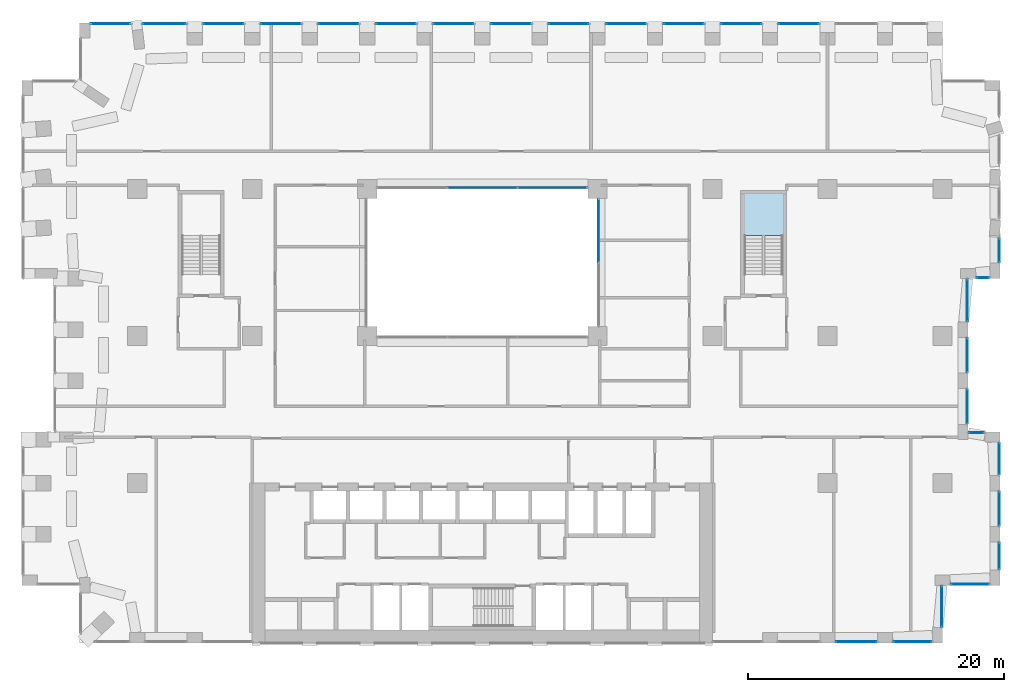
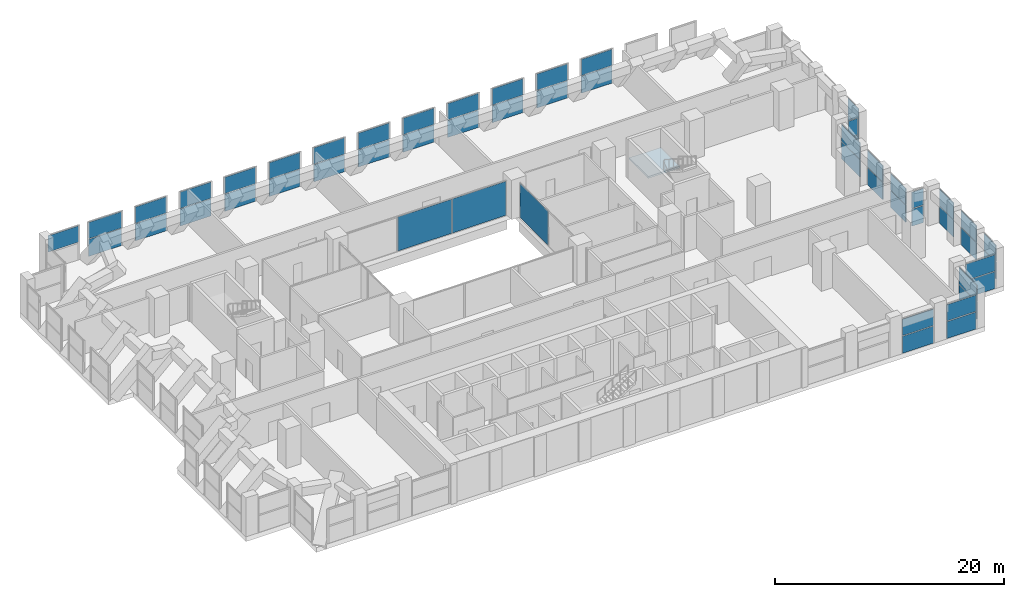
# One storey, part 13 of 20: 54 plates, 1 slab, 29 elements without a shape of their own.
"""IFC4 building model written with IfcOpenShell, lengths in metres."""

from ifc_helpers import new_model, si_unit, direction, frame, origin, origin_2d, place, context, subcontext, project, spatial, polyline, rectangle, outline, extrude, material, layer, layer_set, type_object, element, aggregate, save


model = new_model("IFC4")

# Units and contexts
model_context = context("Model", 3, precision=1e-05, world=origin(), true_north=direction((0.0, 1.0)))
body_context = subcontext(model_context, "Body", "Model", "MODEL_VIEW")
ifc_project = project(units=[si_unit("LENGTHUNIT", "METRE"), si_unit("AREAUNIT", "SQUARE_METRE"), si_unit("VOLUMEUNIT", "CUBIC_METRE"), si_unit("PLANEANGLEUNIT", "RADIAN"), si_unit("MASSUNIT", "GRAM", prefix="KILO")], contexts=[model_context])

# Site, building, storey
site_placement = place(None, origin())
site = spatial("IfcSite", under=ifc_project, at=site_placement, CompositionType="ELEMENT")
building_placement = place(site_placement, origin())
building = spatial("IfcBuilding", under=site, at=building_placement, Name="Brigalow Station Residences", CompositionType="ELEMENT")
storey_placement = place(building_placement, frame((0.0, 0.0, 73.050048828125)))
storey = spatial("IfcBuildingStorey", under=building, at=storey_placement, Name="L21", CompositionType="ELEMENT", Elevation=73.050048828125)

# Curtain wall, plate
ifc_material_1 = material(Name="Aluminium", Category="aluminium")
ifc_layer_1 = layer(ifc_material_1, 0.14990234375)
ifc_layer_set_1 = layer_set([ifc_layer_1], Name="ATRIUM FIRE-RATED GLAZING CURTAIN WALL")
curtain_wall_type_1 = type_object("IfcCurtainWallType", Name="ATRIUM FIRE-RATED GLAZING CURTAIN WALL", PredefinedType="NOTDEFINED", material=ifc_layer_set_1)
curtain_wall_1_placement = place(storey_placement, origin())
curtain_wall_1 = element("IfcCurtainWall", 1, at=curtain_wall_1_placement, inside=storey, type_object=curtain_wall_type_1, Name="L21/cw/atrium-E", PredefinedType="NOTDEFINED")
ifc_material_2 = material(Name="Fire-resisting laminated glazing, FRL -/60/-", Category="glass")
ifc_layer_2 = layer(ifc_material_2, 0.031982421875)
ifc_layer_set_2 = layer_set([ifc_layer_2], Name="ATRIUM FIRE-RATED GLAZING PANEL 32")
plate_type_1 = type_object("IfcPlateType", Name="ATRIUM FIRE-RATED GLAZING PANEL 32", PredefinedType="CURTAIN_PANEL", material=ifc_layer_set_2)
plate_1_placement = place(storey_placement, frame((45.10009765625, 32.235107421875, 0.0), z_axis=(0.0, 0.0, 1.0), x_axis=(0.0, 1.0, 0.0)))
plate_1 = element("IfcPlate", 2, at=plate_1_placement, type_object=plate_type_1, Name="L21/cw/atrium-E/P01-00", PredefinedType="CURTAIN_PANEL", context=body_context, shape_type="SweptSolid", body=[
    extrude(rectangle(XDim=4.909912109375, YDim=0.031982421875, at=origin_2d()), origin(), (0.0, 0.0, 1.0), 3.639892578125),
])
aggregate(curtain_wall_1, [plate_1])

# Curtain wall, plates
curtain_wall_2_placement = place(storey_placement, origin())
curtain_wall_2 = element("IfcCurtainWall", 3, at=curtain_wall_2_placement, inside=storey, type_object=curtain_wall_type_1, Name="L21/cw/atrium-N", PredefinedType="NOTDEFINED")
plate_2_placement = place(storey_placement, frame((41.485107421875, 35.60009765625, 0.0), z_axis=(0.0, 0.0, 1.0), x_axis=(-1.0, 0.0, 0.0)))
plate_2 = element("IfcPlate", 4, at=plate_2_placement, type_object=plate_type_1, Name="L21/cw/atrium-N/P00-00", PredefinedType="CURTAIN_PANEL", context=body_context, shape_type="SweptSolid", body=[
    extrude(rectangle(XDim=5.409912109375, YDim=0.031982421875, at=origin_2d()), origin(), (0.0, 0.0, 1.0), 3.639892578125),
])
plate_3_placement = place(storey_placement, frame((36.0, 35.60009765625, 0.0), z_axis=(0.0, 0.0, 1.0), x_axis=(-1.0, 0.0, 0.0)))
plate_3 = element("IfcPlate", 5, at=plate_3_placement, type_object=plate_type_1, Name="L21/cw/atrium-N/P01-00", PredefinedType="CURTAIN_PANEL", context=body_context, shape_type="SweptSolid", body=[
    extrude(rectangle(XDim=5.43994140625, YDim=0.031982421875, at=origin_2d()), origin(), (0.0, 0.0, 1.0), 3.639892578125),
])
aggregate(curtain_wall_2, [plate_2, plate_3])

ifc_material_3 = material(Name="Aluminium", Category="aluminium")
ifc_layer_3 = layer(ifc_material_3, 0.199951171875)
ifc_layer_set_3 = layer_set([ifc_layer_3], Name="REFUGE FLOOR LOUVRE CURTAIN WALL")
curtain_wall_type_2 = type_object("IfcCurtainWallType", Name="REFUGE FLOOR LOUVRE CURTAIN WALL", PredefinedType="NOTDEFINED", material=ifc_layer_set_3)
curtain_wall_3_placement = place(storey_placement, origin())
curtain_wall_3 = element("IfcCurtainWall", 6, at=curtain_wall_3_placement, inside=storey, type_object=curtain_wall_type_2, Name="L21/cw/louvre-W-L21-5-6", PredefinedType="NOTDEFINED")
ifc_material_4 = material(Name="Aluminium louvre blade", Category="aluminium")
ifc_layer_4 = layer(ifc_material_4, 0.070068359375)
ifc_layer_set_4 = layer_set([ifc_layer_4], Name="REFUGE FLOOR LOUVRE PANEL 70")
plate_type_2 = type_object("IfcPlateType", Name="REFUGE FLOOR LOUVRE PANEL 70", PredefinedType="CURTAIN_PANEL", material=ifc_layer_set_4)
plate_4_placement = place(storey_placement, frame((65.25, 0.074951171875, 0.0), z_axis=(0.0, 0.0, 1.0), x_axis=(1.0, 0.0, 0.0)))
plate_4 = element("IfcPlate", 7, at=plate_4_placement, type_object=plate_type_2, Name="L21/cw/louvre-W-L21-5-6/P00-00", PredefinedType="CURTAIN_PANEL", context=body_context, shape_type="SweptSolid", body=[
    extrude(rectangle(XDim=3.139892578125, YDim=0.070068359375, at=origin_2d()), origin(), (0.0, 0.0, 1.0), 1.81005859375),
])
plate_5_placement = place(storey_placement, frame((65.25, 0.074951171875, 1.889892578125), z_axis=(0.0, 0.0, 1.0), x_axis=(1.0, 0.0, 0.0)))
plate_5 = element("IfcPlate", 8, at=plate_5_placement, type_object=plate_type_2, Name="L21/cw/louvre-W-L21-5-6/P00-01", PredefinedType="CURTAIN_PANEL", context=body_context, shape_type="SweptSolid", body=[
    extrude(rectangle(XDim=3.139892578125, YDim=0.070068359375, at=origin_2d()), origin(), (0.0, 0.0, 1.0), 1.72998046875),
])
aggregate(curtain_wall_3, [plate_4, plate_5])

curtain_wall_4_placement = place(storey_placement, origin())
curtain_wall_4 = element("IfcCurtainWall", 9, at=curtain_wall_4_placement, inside=storey, type_object=curtain_wall_type_2, Name="L21/cw/louvre-W-L21-5-7", PredefinedType="NOTDEFINED")
plate_6_placement = place(storey_placement, frame((69.64990234375, 0.074951171875, 0.0), z_axis=(0.0, 0.0, 1.0), x_axis=(1.0, 0.0, 0.0)))
plate_6 = element("IfcPlate", 10, at=plate_6_placement, type_object=plate_type_2, Name="L21/cw/louvre-W-L21-5-7/P00-00", PredefinedType="CURTAIN_PANEL", context=body_context, shape_type="SweptSolid", body=[
    extrude(rectangle(XDim=2.93994140625, YDim=0.070068359375, at=origin_2d()), origin(), (0.0, 0.0, 1.0), 1.81005859375),
])
plate_7_placement = place(storey_placement, frame((69.64990234375, 0.074951171875, 1.889892578125), z_axis=(0.0, 0.0, 1.0), x_axis=(1.0, 0.0, 0.0)))
plate_7 = element("IfcPlate", 11, at=plate_7_placement, type_object=plate_type_2, Name="L21/cw/louvre-W-L21-5-7/P00-01", PredefinedType="CURTAIN_PANEL", context=body_context, shape_type="SweptSolid", body=[
    extrude(rectangle(XDim=2.93994140625, YDim=0.070068359375, at=origin_2d()), origin(), (0.0, 0.0, 1.0), 1.72998046875),
])
aggregate(curtain_wall_4, [plate_6, plate_7])

curtain_wall_5_placement = place(storey_placement, origin())
curtain_wall_5 = element("IfcCurtainWall", 12, at=curtain_wall_5_placement, inside=storey, type_object=curtain_wall_type_2, Name="L21/cw/louvre-W-L21-9-8", PredefinedType="NOTDEFINED")
plate_8_placement = place(storey_placement, frame((71.925048828125, 2.85009765625, 0.0), z_axis=(0.0, 0.0, 1.0), x_axis=(0.0, 1.0, 0.0)))
plate_8 = element("IfcPlate", 13, at=plate_8_placement, type_object=plate_type_2, Name="L21/cw/louvre-W-L21-9-8/P00-00", PredefinedType="CURTAIN_PANEL", context=body_context, shape_type="SweptSolid", body=[
    extrude(rectangle(XDim=3.139892578125, YDim=0.070068359375, at=origin_2d()), origin(), (0.0, 0.0, 1.0), 1.81005859375),
])
plate_9_placement = place(storey_placement, frame((71.925048828125, 2.85009765625, 1.889892578125), z_axis=(0.0, 0.0, 1.0), x_axis=(0.0, 1.0, 0.0)))
plate_9 = element("IfcPlate", 14, at=plate_9_placement, type_object=plate_type_2, Name="L21/cw/louvre-W-L21-9-8/P00-01", PredefinedType="CURTAIN_PANEL", context=body_context, shape_type="SweptSolid", body=[
    extrude(rectangle(XDim=3.139892578125, YDim=0.070068359375, at=origin_2d()), origin(), (0.0, 0.0, 1.0), 1.72998046875),
])
aggregate(curtain_wall_5, [plate_8, plate_9])

curtain_wall_6_placement = place(storey_placement, origin())
curtain_wall_6 = element("IfcCurtainWall", 15, at=curtain_wall_6_placement, inside=storey, type_object=curtain_wall_type_2, Name="L21/cw/louvre-W-L21-10-9", PredefinedType="NOTDEFINED")
plate_10_placement = place(storey_placement, frame((74.14990234375, 4.574951171875, 0.0), z_axis=(0.0, 0.0, 1.0), x_axis=(1.0, 0.0, 0.0)))
plate_10 = element("IfcPlate", 16, at=plate_10_placement, type_object=plate_type_2, Name="L21/cw/louvre-W-L21-10-9/P00-00", PredefinedType="CURTAIN_PANEL", context=body_context, shape_type="SweptSolid", body=[
    extrude(rectangle(XDim=2.93994140625, YDim=0.070068359375, at=origin_2d()), origin(), (0.0, 0.0, 1.0), 1.81005859375),
])
plate_11_placement = place(storey_placement, frame((74.14990234375, 4.574951171875, 1.889892578125), z_axis=(0.0, 0.0, 1.0), x_axis=(1.0, 0.0, 0.0)))
plate_11 = element("IfcPlate", 17, at=plate_11_placement, type_object=plate_type_2, Name="L21/cw/louvre-W-L21-10-9/P00-01", PredefinedType="CURTAIN_PANEL", context=body_context, shape_type="SweptSolid", body=[
    extrude(rectangle(XDim=2.93994140625, YDim=0.070068359375, at=origin_2d()), origin(), (0.0, 0.0, 1.0), 1.72998046875),
])
aggregate(curtain_wall_6, [plate_10, plate_11])

curtain_wall_7_placement = place(storey_placement, origin())
curtain_wall_7 = element("IfcCurtainWall", 18, at=curtain_wall_7_placement, inside=storey, type_object=curtain_wall_type_2, Name="L21/cw/louvre-W-L21-11-10", PredefinedType="NOTDEFINED")
plate_12_placement = place(storey_placement, frame((76.425048828125, 6.800048828125, 0.0), z_axis=(0.0, 0.0, 1.0), x_axis=(0.0, 1.0, 0.0)))
plate_12 = element("IfcPlate", 19, at=plate_12_placement, type_object=plate_type_2, Name="L21/cw/louvre-W-L21-11-10/P00-00", PredefinedType="CURTAIN_PANEL", context=body_context, shape_type="SweptSolid", body=[
    extrude(rectangle(XDim=2.0400390625, YDim=0.070068359375, at=origin_2d()), origin(), (0.0, 0.0, 1.0), 1.81005859375),
])
plate_13_placement = place(storey_placement, frame((76.425048828125, 6.800048828125, 1.889892578125), z_axis=(0.0, 0.0, 1.0), x_axis=(0.0, 1.0, 0.0)))
plate_13 = element("IfcPlate", 20, at=plate_13_placement, type_object=plate_type_2, Name="L21/cw/louvre-W-L21-11-10/P00-01", PredefinedType="CURTAIN_PANEL", context=body_context, shape_type="SweptSolid", body=[
    extrude(rectangle(XDim=2.0400390625, YDim=0.070068359375, at=origin_2d()), origin(), (0.0, 0.0, 1.0), 1.72998046875),
])
aggregate(curtain_wall_7, [plate_12, plate_13])

curtain_wall_8_placement = place(storey_placement, origin())
curtain_wall_8 = element("IfcCurtainWall", 21, at=curtain_wall_8_placement, inside=storey, type_object=curtain_wall_type_2, Name="L21/cw/louvre-W-L21-11-11", PredefinedType="NOTDEFINED")
plate_14_placement = place(storey_placement, frame((76.425048828125, 10.5, 0.0), z_axis=(0.0, 0.0, 1.0), x_axis=(0.0, 1.0, 0.0)))
plate_14 = element("IfcPlate", 22, at=plate_14_placement, type_object=plate_type_2, Name="L21/cw/louvre-W-L21-11-11/P00-00", PredefinedType="CURTAIN_PANEL", context=body_context, shape_type="SweptSolid", body=[
    extrude(rectangle(XDim=2.639892578125, YDim=0.070068359375, at=origin_2d()), origin(), (0.0, 0.0, 1.0), 1.81005859375),
])
plate_15_placement = place(storey_placement, frame((76.425048828125, 10.5, 1.889892578125), z_axis=(0.0, 0.0, 1.0), x_axis=(0.0, 1.0, 0.0)))
plate_15 = element("IfcPlate", 23, at=plate_15_placement, type_object=plate_type_2, Name="L21/cw/louvre-W-L21-11-11/P00-01", PredefinedType="CURTAIN_PANEL", context=body_context, shape_type="SweptSolid", body=[
    extrude(rectangle(XDim=2.639892578125, YDim=0.070068359375, at=origin_2d()), origin(), (0.0, 0.0, 1.0), 1.72998046875),
])
aggregate(curtain_wall_8, [plate_14, plate_15])

curtain_wall_9_placement = place(storey_placement, origin())
curtain_wall_9 = element("IfcCurtainWall", 24, at=curtain_wall_9_placement, inside=storey, type_object=curtain_wall_type_2, Name="L21/cw/louvre-W-L21-11-12", PredefinedType="NOTDEFINED")
plate_16_placement = place(storey_placement, frame((76.425048828125, 14.39990234375, 0.0), z_axis=(0.0, 0.0, 1.0), x_axis=(0.0, 1.0, 0.0)))
plate_16 = element("IfcPlate", 25, at=plate_16_placement, type_object=plate_type_2, Name="L21/cw/louvre-W-L21-11-12/P00-00", PredefinedType="CURTAIN_PANEL", context=body_context, shape_type="SweptSolid", body=[
    extrude(rectangle(XDim=2.43994140625, YDim=0.070068359375, at=origin_2d()), origin(), (0.0, 0.0, 1.0), 1.81005859375),
])
plate_17_placement = place(storey_placement, frame((76.425048828125, 14.39990234375, 1.889892578125), z_axis=(0.0, 0.0, 1.0), x_axis=(0.0, 1.0, 0.0)))
plate_17 = element("IfcPlate", 26, at=plate_17_placement, type_object=plate_type_2, Name="L21/cw/louvre-W-L21-11-12/P00-01", PredefinedType="CURTAIN_PANEL", context=body_context, shape_type="SweptSolid", body=[
    extrude(rectangle(XDim=2.43994140625, YDim=0.070068359375, at=origin_2d()), origin(), (0.0, 0.0, 1.0), 1.72998046875),
])
aggregate(curtain_wall_9, [plate_16, plate_17])

curtain_wall_10_placement = place(storey_placement, origin())
curtain_wall_10 = element("IfcCurtainWall", 27, at=curtain_wall_10_placement, inside=storey, type_object=curtain_wall_type_2, Name="L21/cw/louvre-W-L21-14-13", PredefinedType="NOTDEFINED")
plate_18_placement = place(storey_placement, frame((74.64990234375, 16.425048828125, 0.0), z_axis=(0.0, 0.0, 1.0), x_axis=(-1.0, 0.0, 0.0)))
plate_18 = element("IfcPlate", 28, at=plate_18_placement, type_object=plate_type_2, Name="L21/cw/louvre-W-L21-14-13/P00-00", PredefinedType="CURTAIN_PANEL", context=body_context, shape_type="SweptSolid", body=[
    extrude(rectangle(XDim=1.139892578125, YDim=0.070068359375, at=origin_2d()), origin(), (0.0, 0.0, 1.0), 1.81005859375),
])
plate_19_placement = place(storey_placement, frame((74.64990234375, 16.425048828125, 1.889892578125), z_axis=(0.0, 0.0, 1.0), x_axis=(-1.0, 0.0, 0.0)))
plate_19 = element("IfcPlate", 29, at=plate_19_placement, type_object=plate_type_2, Name="L21/cw/louvre-W-L21-14-13/P00-01", PredefinedType="CURTAIN_PANEL", context=body_context, shape_type="SweptSolid", body=[
    extrude(rectangle(XDim=1.139892578125, YDim=0.070068359375, at=origin_2d()), origin(), (0.0, 0.0, 1.0), 1.72998046875),
])
aggregate(curtain_wall_10, [plate_18, plate_19])

curtain_wall_11_placement = place(storey_placement, origin())
curtain_wall_11 = element("IfcCurtainWall", 30, at=curtain_wall_11_placement, inside=storey, type_object=curtain_wall_type_2, Name="L21/cw/louvre-W-L21-15-14", PredefinedType="NOTDEFINED")
plate_20_placement = place(storey_placement, frame((73.925048828125, 18.5, 0.0), z_axis=(0.0, 0.0, 1.0), x_axis=(0.0, 1.0, 0.0)))
plate_20 = element("IfcPlate", 31, at=plate_20_placement, type_object=plate_type_2, Name="L21/cw/louvre-W-L21-15-14/P00-00", PredefinedType="CURTAIN_PANEL", context=body_context, shape_type="SweptSolid", body=[
    extrude(rectangle(XDim=2.639892578125, YDim=0.070068359375, at=origin_2d()), origin(), (0.0, 0.0, 1.0), 1.81005859375),
])
plate_21_placement = place(storey_placement, frame((73.925048828125, 18.5, 1.889892578125), z_axis=(0.0, 0.0, 1.0), x_axis=(0.0, 1.0, 0.0)))
plate_21 = element("IfcPlate", 32, at=plate_21_placement, type_object=plate_type_2, Name="L21/cw/louvre-W-L21-15-14/P00-01", PredefinedType="CURTAIN_PANEL", context=body_context, shape_type="SweptSolid", body=[
    extrude(rectangle(XDim=2.639892578125, YDim=0.070068359375, at=origin_2d()), origin(), (0.0, 0.0, 1.0), 1.72998046875),
])
aggregate(curtain_wall_11, [plate_20, plate_21])

curtain_wall_12_placement = place(storey_placement, origin())
curtain_wall_12 = element("IfcCurtainWall", 33, at=curtain_wall_12_placement, inside=storey, type_object=curtain_wall_type_2, Name="L21/cw/louvre-W-L21-15-15", PredefinedType="NOTDEFINED")
plate_22_placement = place(storey_placement, frame((73.925048828125, 22.5, 0.0), z_axis=(0.0, 0.0, 1.0), x_axis=(0.0, 1.0, 0.0)))
plate_22 = element("IfcPlate", 34, at=plate_22_placement, type_object=plate_type_2, Name="L21/cw/louvre-W-L21-15-15/P00-00", PredefinedType="CURTAIN_PANEL", context=body_context, shape_type="SweptSolid", body=[
    extrude(rectangle(XDim=2.639892578125, YDim=0.070068359375, at=origin_2d()), origin(), (0.0, 0.0, 1.0), 1.81005859375),
])
plate_23_placement = place(storey_placement, frame((73.925048828125, 22.5, 1.889892578125), z_axis=(0.0, 0.0, 1.0), x_axis=(0.0, 1.0, 0.0)))
plate_23 = element("IfcPlate", 35, at=plate_23_placement, type_object=plate_type_2, Name="L21/cw/louvre-W-L21-15-15/P00-01", PredefinedType="CURTAIN_PANEL", context=body_context, shape_type="SweptSolid", body=[
    extrude(rectangle(XDim=2.639892578125, YDim=0.070068359375, at=origin_2d()), origin(), (0.0, 0.0, 1.0), 1.72998046875),
])
aggregate(curtain_wall_12, [plate_22, plate_23])

curtain_wall_13_placement = place(storey_placement, origin())
curtain_wall_13 = element("IfcCurtainWall", 36, at=curtain_wall_13_placement, inside=storey, type_object=curtain_wall_type_2, Name="L21/cw/louvre-W-L21-15-16", PredefinedType="NOTDEFINED")
plate_24_placement = place(storey_placement, frame((73.925048828125, 26.800048828125, 0.0), z_axis=(0.0, 0.0, 1.0), x_axis=(0.0, 1.0, 0.0)))
plate_24 = element("IfcPlate", 37, at=plate_24_placement, type_object=plate_type_2, Name="L21/cw/louvre-W-L21-15-16/P00-00", PredefinedType="CURTAIN_PANEL", context=body_context, shape_type="SweptSolid", body=[
    extrude(rectangle(XDim=3.239990234375, YDim=0.070068359375, at=origin_2d()), origin(), (0.0, 0.0, 1.0), 1.81005859375),
])
plate_25_placement = place(storey_placement, frame((73.925048828125, 26.800048828125, 1.889892578125), z_axis=(0.0, 0.0, 1.0), x_axis=(0.0, 1.0, 0.0)))
plate_25 = element("IfcPlate", 38, at=plate_25_placement, type_object=plate_type_2, Name="L21/cw/louvre-W-L21-15-16/P00-01", PredefinedType="CURTAIN_PANEL", context=body_context, shape_type="SweptSolid", body=[
    extrude(rectangle(XDim=3.239990234375, YDim=0.070068359375, at=origin_2d()), origin(), (0.0, 0.0, 1.0), 1.72998046875),
])
aggregate(curtain_wall_13, [plate_24, plate_25])

curtain_wall_14_placement = place(storey_placement, origin())
curtain_wall_14 = element("IfcCurtainWall", 39, at=curtain_wall_14_placement, inside=storey, type_object=curtain_wall_type_2, Name="L21/cw/louvre-W-L21-18-17", PredefinedType="NOTDEFINED")
plate_26_placement = place(storey_placement, frame((75.14990234375, 28.574951171875, 0.0), z_axis=(0.0, 0.0, 1.0), x_axis=(1.0, 0.0, 0.0)))
plate_26 = element("IfcPlate", 40, at=plate_26_placement, type_object=plate_type_2, Name="L21/cw/louvre-W-L21-18-17/P00-00", PredefinedType="CURTAIN_PANEL", context=body_context, shape_type="SweptSolid", body=[
    extrude(rectangle(XDim=0.93994140625, YDim=0.070068359375, at=origin_2d()), origin(), (0.0, 0.0, 1.0), 1.81005859375),
])
plate_27_placement = place(storey_placement, frame((75.14990234375, 28.574951171875, 1.889892578125), z_axis=(0.0, 0.0, 1.0), x_axis=(1.0, 0.0, 0.0)))
plate_27 = element("IfcPlate", 41, at=plate_27_placement, type_object=plate_type_2, Name="L21/cw/louvre-W-L21-18-17/P00-01", PredefinedType="CURTAIN_PANEL", context=body_context, shape_type="SweptSolid", body=[
    extrude(rectangle(XDim=0.93994140625, YDim=0.070068359375, at=origin_2d()), origin(), (0.0, 0.0, 1.0), 1.72998046875),
])
aggregate(curtain_wall_14, [plate_26, plate_27])

curtain_wall_15_placement = place(storey_placement, origin())
curtain_wall_15 = element("IfcCurtainWall", 42, at=curtain_wall_15_placement, inside=storey, type_object=curtain_wall_type_2, Name="L21/cw/louvre-W-L21-19-18", PredefinedType="NOTDEFINED")
plate_28_placement = place(storey_placement, frame((76.425048828125, 30.697265625, 0.0), z_axis=(0.0, 0.0, 1.0), x_axis=(0.0, 1.0, 0.0)))
plate_28 = element("IfcPlate", 43, at=plate_28_placement, type_object=plate_type_2, Name="L21/cw/louvre-W-L21-19-18/P00-00", PredefinedType="CURTAIN_PANEL", context=body_context, shape_type="SweptSolid", body=[
    extrude(rectangle(XDim=1.83447265625, YDim=0.070068359375, at=origin_2d()), origin(), (0.0, 0.0, 1.0), 1.81005859375),
])
plate_29_placement = place(storey_placement, frame((76.425048828125, 30.697265625, 1.889892578125), z_axis=(0.0, 0.0, 1.0), x_axis=(0.0, 1.0, 0.0)))
plate_29 = element("IfcPlate", 44, at=plate_29_placement, type_object=plate_type_2, Name="L21/cw/louvre-W-L21-19-18/P00-01", PredefinedType="CURTAIN_PANEL", context=body_context, shape_type="SweptSolid", body=[
    extrude(rectangle(XDim=1.83447265625, YDim=0.070068359375, at=origin_2d()), origin(), (0.0, 0.0, 1.0), 1.72998046875),
])
aggregate(curtain_wall_15, [plate_28, plate_29])

curtain_wall_16_placement = place(storey_placement, origin())
curtain_wall_16 = element("IfcCurtainWall", 45, at=curtain_wall_16_placement, inside=storey, type_object=curtain_wall_type_2, Name="L21/cw/louvre-W-L21-25-25", PredefinedType="NOTDEFINED")
plate_30_placement = place(storey_placement, frame((60.75, 48.425048828125, 0.0), z_axis=(0.0, 0.0, 1.0), x_axis=(-1.0, 0.0, 0.0)))
plate_30 = element("IfcPlate", 46, at=plate_30_placement, type_object=plate_type_2, Name="L21/cw/louvre-W-L21-25-25/P00-00", PredefinedType="CURTAIN_PANEL", context=body_context, shape_type="SweptSolid", body=[
    extrude(rectangle(XDim=3.10009765625, YDim=0.070068359375, at=origin_2d()), origin(), (0.0, 0.0, 1.0), 1.81005859375),
])
plate_31_placement = place(storey_placement, frame((60.75, 48.425048828125, 1.889892578125), z_axis=(0.0, 0.0, 1.0), x_axis=(-1.0, 0.0, 0.0)))
plate_31 = element("IfcPlate", 47, at=plate_31_placement, type_object=plate_type_2, Name="L21/cw/louvre-W-L21-25-25/P00-01", PredefinedType="CURTAIN_PANEL", context=body_context, shape_type="SweptSolid", body=[
    extrude(rectangle(XDim=3.10009765625, YDim=0.070068359375, at=origin_2d()), origin(), (0.0, 0.0, 1.0), 1.72998046875),
])
aggregate(curtain_wall_16, [plate_30, plate_31])

curtain_wall_17_placement = place(storey_placement, origin())
curtain_wall_17 = element("IfcCurtainWall", 48, at=curtain_wall_17_placement, inside=storey, type_object=curtain_wall_type_2, Name="L21/cw/louvre-W-L21-25-26", PredefinedType="NOTDEFINED")
plate_32_placement = place(storey_placement, frame((56.25, 48.425048828125, 0.0), z_axis=(0.0, 0.0, 1.0), x_axis=(-1.0, 0.0, 0.0)))
plate_32 = element("IfcPlate", 49, at=plate_32_placement, type_object=plate_type_2, Name="L21/cw/louvre-W-L21-25-26/P00-00", PredefinedType="CURTAIN_PANEL", context=body_context, shape_type="SweptSolid", body=[
    extrude(rectangle(XDim=3.10009765625, YDim=0.070068359375, at=origin_2d()), origin(), (0.0, 0.0, 1.0), 1.81005859375),
])
plate_33_placement = place(storey_placement, frame((56.25, 48.425048828125, 1.889892578125), z_axis=(0.0, 0.0, 1.0), x_axis=(-1.0, 0.0, 0.0)))
plate_33 = element("IfcPlate", 50, at=plate_33_placement, type_object=plate_type_2, Name="L21/cw/louvre-W-L21-25-26/P00-01", PredefinedType="CURTAIN_PANEL", context=body_context, shape_type="SweptSolid", body=[
    extrude(rectangle(XDim=3.10009765625, YDim=0.070068359375, at=origin_2d()), origin(), (0.0, 0.0, 1.0), 1.72998046875),
])
aggregate(curtain_wall_17, [plate_32, plate_33])

curtain_wall_18_placement = place(storey_placement, origin())
curtain_wall_18 = element("IfcCurtainWall", 51, at=curtain_wall_18_placement, inside=storey, type_object=curtain_wall_type_2, Name="L21/cw/louvre-W-L21-25-27", PredefinedType="NOTDEFINED")
plate_34_placement = place(storey_placement, frame((51.75, 48.425048828125, 0.0), z_axis=(0.0, 0.0, 1.0), x_axis=(-1.0, 0.0, 0.0)))
plate_34 = element("IfcPlate", 52, at=plate_34_placement, type_object=plate_type_2, Name="L21/cw/louvre-W-L21-25-27/P00-00", PredefinedType="CURTAIN_PANEL", context=body_context, shape_type="SweptSolid", body=[
    extrude(rectangle(XDim=3.10009765625, YDim=0.070068359375, at=origin_2d()), origin(), (0.0, 0.0, 1.0), 1.81005859375),
])
plate_35_placement = place(storey_placement, frame((51.75, 48.425048828125, 1.889892578125), z_axis=(0.0, 0.0, 1.0), x_axis=(-1.0, 0.0, 0.0)))
plate_35 = element("IfcPlate", 53, at=plate_35_placement, type_object=plate_type_2, Name="L21/cw/louvre-W-L21-25-27/P00-01", PredefinedType="CURTAIN_PANEL", context=body_context, shape_type="SweptSolid", body=[
    extrude(rectangle(XDim=3.10009765625, YDim=0.070068359375, at=origin_2d()), origin(), (0.0, 0.0, 1.0), 1.72998046875),
])
aggregate(curtain_wall_18, [plate_34, plate_35])

curtain_wall_19_placement = place(storey_placement, origin())
curtain_wall_19 = element("IfcCurtainWall", 54, at=curtain_wall_19_placement, inside=storey, type_object=curtain_wall_type_2, Name="L21/cw/louvre-W-L21-25-28", PredefinedType="NOTDEFINED")
plate_36_placement = place(storey_placement, frame((47.25, 48.425048828125, 0.0), z_axis=(0.0, 0.0, 1.0), x_axis=(-1.0, 0.0, 0.0)))
plate_36 = element("IfcPlate", 55, at=plate_36_placement, type_object=plate_type_2, Name="L21/cw/louvre-W-L21-25-28/P00-00", PredefinedType="CURTAIN_PANEL", context=body_context, shape_type="SweptSolid", body=[
    extrude(rectangle(XDim=3.10009765625, YDim=0.070068359375, at=origin_2d()), origin(), (0.0, 0.0, 1.0), 1.81005859375),
])
plate_37_placement = place(storey_placement, frame((47.25, 48.425048828125, 1.889892578125), z_axis=(0.0, 0.0, 1.0), x_axis=(-1.0, 0.0, 0.0)))
plate_37 = element("IfcPlate", 56, at=plate_37_placement, type_object=plate_type_2, Name="L21/cw/louvre-W-L21-25-28/P00-01", PredefinedType="CURTAIN_PANEL", context=body_context, shape_type="SweptSolid", body=[
    extrude(rectangle(XDim=3.10009765625, YDim=0.070068359375, at=origin_2d()), origin(), (0.0, 0.0, 1.0), 1.72998046875),
])
aggregate(curtain_wall_19, [plate_36, plate_37])

curtain_wall_20_placement = place(storey_placement, origin())
curtain_wall_20 = element("IfcCurtainWall", 57, at=curtain_wall_20_placement, inside=storey, type_object=curtain_wall_type_2, Name="L21/cw/louvre-W-L21-25-29", PredefinedType="NOTDEFINED")
plate_38_placement = place(storey_placement, frame((42.75, 48.425048828125, 0.0), z_axis=(0.0, 0.0, 1.0), x_axis=(-1.0, 0.0, 0.0)))
plate_38 = element("IfcPlate", 58, at=plate_38_placement, type_object=plate_type_2, Name="L21/cw/louvre-W-L21-25-29/P00-00", PredefinedType="CURTAIN_PANEL", context=body_context, shape_type="SweptSolid", body=[
    extrude(rectangle(XDim=3.10009765625, YDim=0.070068359375, at=origin_2d()), origin(), (0.0, 0.0, 1.0), 1.81005859375),
])
plate_39_placement = place(storey_placement, frame((42.75, 48.425048828125, 1.889892578125), z_axis=(0.0, 0.0, 1.0), x_axis=(-1.0, 0.0, 0.0)))
plate_39 = element("IfcPlate", 59, at=plate_39_placement, type_object=plate_type_2, Name="L21/cw/louvre-W-L21-25-29/P00-01", PredefinedType="CURTAIN_PANEL", context=body_context, shape_type="SweptSolid", body=[
    extrude(rectangle(XDim=3.10009765625, YDim=0.070068359375, at=origin_2d()), origin(), (0.0, 0.0, 1.0), 1.72998046875),
])
aggregate(curtain_wall_20, [plate_38, plate_39])

curtain_wall_21_placement = place(storey_placement, origin())
curtain_wall_21 = element("IfcCurtainWall", 60, at=curtain_wall_21_placement, inside=storey, type_object=curtain_wall_type_2, Name="L21/cw/louvre-W-L21-25-30", PredefinedType="NOTDEFINED")
plate_40_placement = place(storey_placement, frame((38.25, 48.425048828125, 0.0), z_axis=(0.0, 0.0, 1.0), x_axis=(-1.0, 0.0, 0.0)))
plate_40 = element("IfcPlate", 61, at=plate_40_placement, type_object=plate_type_2, Name="L21/cw/louvre-W-L21-25-30/P00-00", PredefinedType="CURTAIN_PANEL", context=body_context, shape_type="SweptSolid", body=[
    extrude(rectangle(XDim=3.10009765625, YDim=0.070068359375, at=origin_2d()), origin(), (0.0, 0.0, 1.0), 1.81005859375),
])
plate_41_placement = place(storey_placement, frame((38.25, 48.425048828125, 1.889892578125), z_axis=(0.0, 0.0, 1.0), x_axis=(-1.0, 0.0, 0.0)))
plate_41 = element("IfcPlate", 62, at=plate_41_placement, type_object=plate_type_2, Name="L21/cw/louvre-W-L21-25-30/P00-01", PredefinedType="CURTAIN_PANEL", context=body_context, shape_type="SweptSolid", body=[
    extrude(rectangle(XDim=3.10009765625, YDim=0.070068359375, at=origin_2d()), origin(), (0.0, 0.0, 1.0), 1.72998046875),
])
aggregate(curtain_wall_21, [plate_40, plate_41])

curtain_wall_22_placement = place(storey_placement, origin())
curtain_wall_22 = element("IfcCurtainWall", 63, at=curtain_wall_22_placement, inside=storey, type_object=curtain_wall_type_2, Name="L21/cw/louvre-W-L21-25-31", PredefinedType="NOTDEFINED")
plate_42_placement = place(storey_placement, frame((33.75, 48.425048828125, 0.0), z_axis=(0.0, 0.0, 1.0), x_axis=(-1.0, 0.0, 0.0)))
plate_42 = element("IfcPlate", 64, at=plate_42_placement, type_object=plate_type_2, Name="L21/cw/louvre-W-L21-25-31/P00-00", PredefinedType="CURTAIN_PANEL", context=body_context, shape_type="SweptSolid", body=[
    extrude(rectangle(XDim=3.10009765625, YDim=0.070068359375, at=origin_2d()), origin(), (0.0, 0.0, 1.0), 1.81005859375),
])
plate_43_placement = place(storey_placement, frame((33.75, 48.425048828125, 1.889892578125), z_axis=(0.0, 0.0, 1.0), x_axis=(-1.0, 0.0, 0.0)))
plate_43 = element("IfcPlate", 65, at=plate_43_placement, type_object=plate_type_2, Name="L21/cw/louvre-W-L21-25-31/P00-01", PredefinedType="CURTAIN_PANEL", context=body_context, shape_type="SweptSolid", body=[
    extrude(rectangle(XDim=3.10009765625, YDim=0.070068359375, at=origin_2d()), origin(), (0.0, 0.0, 1.0), 1.72998046875),
])
aggregate(curtain_wall_22, [plate_42, plate_43])

curtain_wall_23_placement = place(storey_placement, origin())
curtain_wall_23 = element("IfcCurtainWall", 66, at=curtain_wall_23_placement, inside=storey, type_object=curtain_wall_type_2, Name="L21/cw/louvre-W-L21-25-32", PredefinedType="NOTDEFINED")
plate_44_placement = place(storey_placement, frame((29.25, 48.425048828125, 0.0), z_axis=(0.0, 0.0, 1.0), x_axis=(-1.0, 0.0, 0.0)))
plate_44 = element("IfcPlate", 67, at=plate_44_placement, type_object=plate_type_2, Name="L21/cw/louvre-W-L21-25-32/P00-00", PredefinedType="CURTAIN_PANEL", context=body_context, shape_type="SweptSolid", body=[
    extrude(rectangle(XDim=3.10009765625, YDim=0.070068359375, at=origin_2d()), origin(), (0.0, 0.0, 1.0), 1.81005859375),
])
plate_45_placement = place(storey_placement, frame((29.25, 48.425048828125, 1.889892578125), z_axis=(0.0, 0.0, 1.0), x_axis=(-1.0, 0.0, 0.0)))
plate_45 = element("IfcPlate", 68, at=plate_45_placement, type_object=plate_type_2, Name="L21/cw/louvre-W-L21-25-32/P00-01", PredefinedType="CURTAIN_PANEL", context=body_context, shape_type="SweptSolid", body=[
    extrude(rectangle(XDim=3.10009765625, YDim=0.070068359375, at=origin_2d()), origin(), (0.0, 0.0, 1.0), 1.72998046875),
])
aggregate(curtain_wall_23, [plate_44, plate_45])

curtain_wall_24_placement = place(storey_placement, origin())
curtain_wall_24 = element("IfcCurtainWall", 69, at=curtain_wall_24_placement, inside=storey, type_object=curtain_wall_type_2, Name="L21/cw/louvre-W-L21-25-33", PredefinedType="NOTDEFINED")
plate_46_placement = place(storey_placement, frame((24.75, 48.425048828125, 0.0), z_axis=(0.0, 0.0, 1.0), x_axis=(-1.0, 0.0, 0.0)))
plate_46 = element("IfcPlate", 70, at=plate_46_placement, type_object=plate_type_2, Name="L21/cw/louvre-W-L21-25-33/P00-00", PredefinedType="CURTAIN_PANEL", context=body_context, shape_type="SweptSolid", body=[
    extrude(rectangle(XDim=3.10009765625, YDim=0.070068359375, at=origin_2d()), origin(), (0.0, 0.0, 1.0), 1.81005859375),
])
plate_47_placement = place(storey_placement, frame((24.75, 48.425048828125, 1.889892578125), z_axis=(0.0, 0.0, 1.0), x_axis=(-1.0, 0.0, 0.0)))
plate_47 = element("IfcPlate", 71, at=plate_47_placement, type_object=plate_type_2, Name="L21/cw/louvre-W-L21-25-33/P00-01", PredefinedType="CURTAIN_PANEL", context=body_context, shape_type="SweptSolid", body=[
    extrude(rectangle(XDim=3.10009765625, YDim=0.070068359375, at=origin_2d()), origin(), (0.0, 0.0, 1.0), 1.72998046875),
])
aggregate(curtain_wall_24, [plate_46, plate_47])

curtain_wall_25_placement = place(storey_placement, origin())
curtain_wall_25 = element("IfcCurtainWall", 72, at=curtain_wall_25_placement, inside=storey, type_object=curtain_wall_type_2, Name="L21/cw/louvre-W-L21-25-34", PredefinedType="NOTDEFINED")
plate_48_placement = place(storey_placement, frame((20.25, 48.425048828125, 0.0), z_axis=(0.0, 0.0, 1.0), x_axis=(-1.0, 0.0, 0.0)))
plate_48 = element("IfcPlate", 73, at=plate_48_placement, type_object=plate_type_2, Name="L21/cw/louvre-W-L21-25-34/P00-00", PredefinedType="CURTAIN_PANEL", context=body_context, shape_type="SweptSolid", body=[
    extrude(rectangle(XDim=3.10009765625, YDim=0.070068359375, at=origin_2d()), origin(), (0.0, 0.0, 1.0), 1.81005859375),
])
plate_49_placement = place(storey_placement, frame((20.25, 48.425048828125, 1.889892578125), z_axis=(0.0, 0.0, 1.0), x_axis=(-1.0, 0.0, 0.0)))
plate_49 = element("IfcPlate", 74, at=plate_49_placement, type_object=plate_type_2, Name="L21/cw/louvre-W-L21-25-34/P00-01", PredefinedType="CURTAIN_PANEL", context=body_context, shape_type="SweptSolid", body=[
    extrude(rectangle(XDim=3.10009765625, YDim=0.070068359375, at=origin_2d()), origin(), (0.0, 0.0, 1.0), 1.72998046875),
])
aggregate(curtain_wall_25, [plate_48, plate_49])

curtain_wall_26_placement = place(storey_placement, origin())
curtain_wall_26 = element("IfcCurtainWall", 75, at=curtain_wall_26_placement, inside=storey, type_object=curtain_wall_type_2, Name="L21/cw/louvre-W-L21-25-35", PredefinedType="NOTDEFINED")
plate_50_placement = place(storey_placement, frame((15.75, 48.425048828125, 0.0), z_axis=(0.0, 0.0, 1.0), x_axis=(-1.0, 0.0, 0.0)))
plate_50 = element("IfcPlate", 76, at=plate_50_placement, type_object=plate_type_2, Name="L21/cw/louvre-W-L21-25-35/P00-00", PredefinedType="CURTAIN_PANEL", context=body_context, shape_type="SweptSolid", body=[
    extrude(rectangle(XDim=3.10009765625, YDim=0.070068359375, at=origin_2d()), origin(), (0.0, 0.0, 1.0), 1.81005859375),
])
plate_51_placement = place(storey_placement, frame((15.75, 48.425048828125, 1.889892578125), z_axis=(0.0, 0.0, 1.0), x_axis=(-1.0, 0.0, 0.0)))
plate_51 = element("IfcPlate", 77, at=plate_51_placement, type_object=plate_type_2, Name="L21/cw/louvre-W-L21-25-35/P00-01", PredefinedType="CURTAIN_PANEL", context=body_context, shape_type="SweptSolid", body=[
    extrude(rectangle(XDim=3.10009765625, YDim=0.070068359375, at=origin_2d()), origin(), (0.0, 0.0, 1.0), 1.72998046875),
])
aggregate(curtain_wall_26, [plate_50, plate_51])

curtain_wall_27_placement = place(storey_placement, origin())
curtain_wall_27 = element("IfcCurtainWall", 78, at=curtain_wall_27_placement, inside=storey, type_object=curtain_wall_type_2, Name="L21/cw/louvre-W-L21-25-36", PredefinedType="NOTDEFINED")
plate_52_placement = place(storey_placement, frame((11.132080078125, 48.425048828125, 0.0), z_axis=(0.0, 0.0, 1.0), x_axis=(-1.0, 0.0, 0.0)))
plate_52 = element("IfcPlate", 79, at=plate_52_placement, type_object=plate_type_2, Name="L21/cw/louvre-W-L21-25-36/P00-00", PredefinedType="CURTAIN_PANEL", context=body_context, shape_type="SweptSolid", body=[
    extrude(rectangle(XDim=3.335693359375, YDim=0.070068359375, at=origin_2d()), origin(), (0.0, 0.0, 1.0), 1.81005859375),
])
plate_53_placement = place(storey_placement, frame((11.132080078125, 48.425048828125, 1.889892578125), z_axis=(0.0, 0.0, 1.0), x_axis=(-1.0, 0.0, 0.0)))
plate_53 = element("IfcPlate", 80, at=plate_53_placement, type_object=plate_type_2, Name="L21/cw/louvre-W-L21-25-36/P00-01", PredefinedType="CURTAIN_PANEL", context=body_context, shape_type="SweptSolid", body=[
    extrude(rectangle(XDim=3.335693359375, YDim=0.070068359375, at=origin_2d()), origin(), (0.0, 0.0, 1.0), 1.72998046875),
])
aggregate(curtain_wall_27, [plate_52, plate_53])

# Curtain wall, plate
curtain_wall_28_placement = place(storey_placement, origin())
curtain_wall_28 = element("IfcCurtainWall", 81, at=curtain_wall_28_placement, inside=storey, type_object=curtain_wall_type_2, Name="L21/cw/louvre-W-L21-25-37", PredefinedType="NOTDEFINED")
plate_54_placement = place(storey_placement, frame((6.919189453125, 48.425048828125, 1.889892578125), z_axis=(0.0, 0.0, 1.0), x_axis=(-1.0, 0.0, 0.0)))
plate_54 = element("IfcPlate", 82, at=plate_54_placement, type_object=plate_type_2, Name="L21/cw/louvre-W-L21-25-37/P00-01", PredefinedType="CURTAIN_PANEL", context=body_context, shape_type="SweptSolid", body=[
    extrude(rectangle(XDim=3.078369140625, YDim=0.070068359375, at=origin_2d()), origin(), (0.0, 0.0, 1.0), 1.72998046875),
])
aggregate(curtain_wall_28, [plate_54])

# Stair, slab
ifc_material_5 = material(Name="Concrete C50", Category="concrete")
stair_type = type_object("IfcStairType", Name="EXIT STAIR 1400 2 FLIGHT", PredefinedType="HALF_TURN_STAIR", material=ifc_material_5)
stair_placement = place(storey_placement, origin())
stair = element("IfcStair", 83, at=stair_placement, inside=storey, type_object=stair_type, Name="EXIT STAIR S3 L21", PredefinedType="HALF_TURN_STAIR")
ifc_material_6 = material(Name="Concrete C50", Category="concrete")
ifc_layer_5 = layer(ifc_material_6, 0.199951171875)
ifc_layer_set_5 = layer_set([ifc_layer_5], Name="STAIR LANDING 200")
slab_type = type_object("IfcSlabType", Name="STAIR LANDING 200", PredefinedType="LANDING", material=ifc_layer_set_5)
slab_placement = place(storey_placement, frame((0.0, 0.0, 1.89990234375)))
slab = element("IfcSlab", 84, at=slab_placement, type_object=slab_type, Name="ST-3 landing 1", PredefinedType="LANDING", context=body_context, shape_type="SweptSolid", body=[
    extrude(outline(polyline([(56.39990234375, 31.8798828125), (59.60009765625, 31.8798828125), (59.60009765625, 35.199951171875), (56.39990234375, 35.199951171875), (56.39990234375, 31.8798828125)])), origin(), (0.0, 0.0, 1.0), 0.199951171875),
])
aggregate(stair, [slab])

save(model, "model.ifc")
